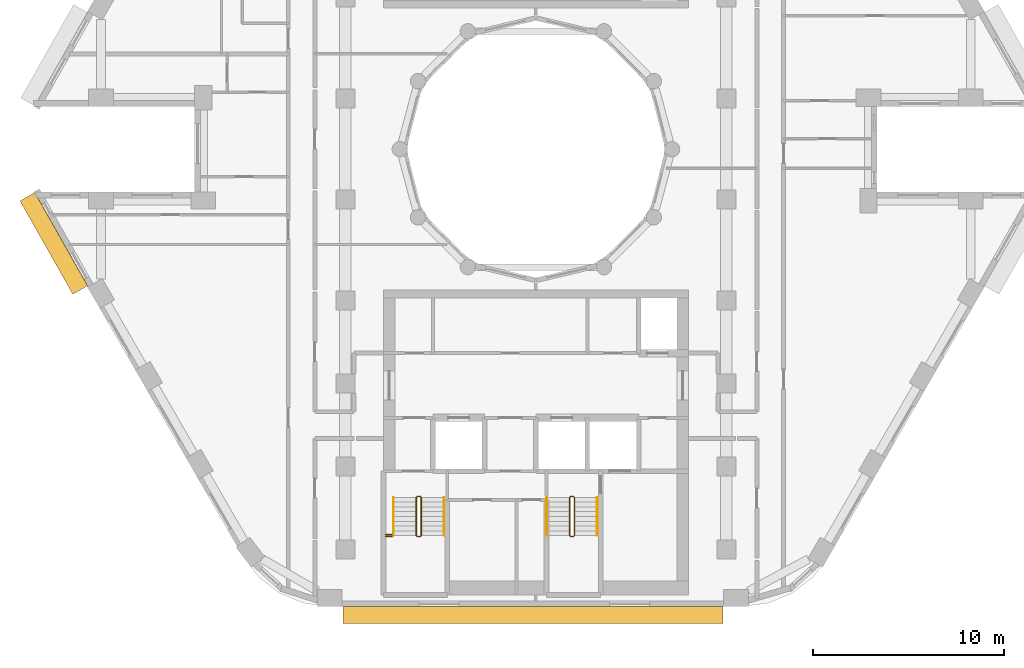
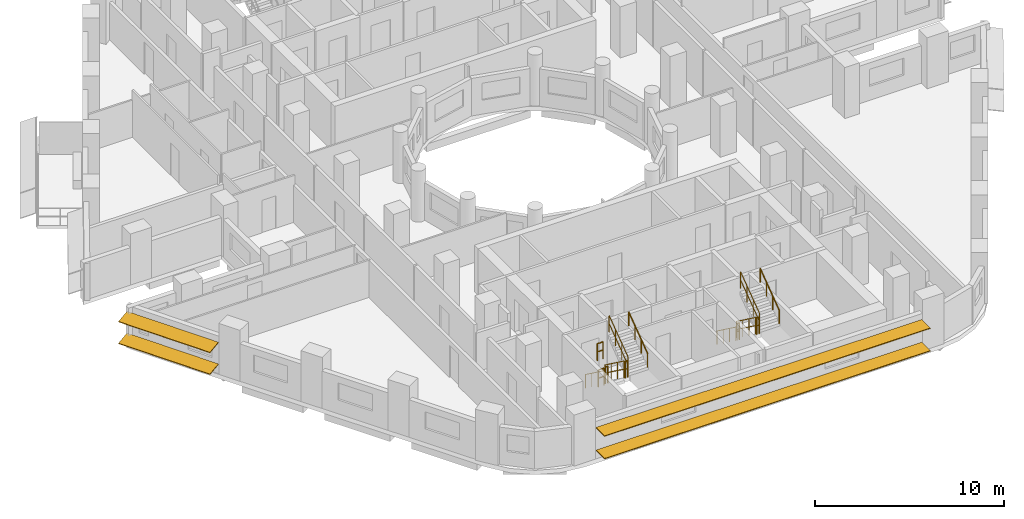
# One storey, part 11 of 13: 14 railings, 4 shading devices.
"""IFC4 building model written with IfcOpenShell, lengths in metres."""

from ifc_helpers import new_model, si_unit, direction, frame, origin, origin_2d, place, context, subcontext, project, spatial, rectangle, circle, extrude, material, material_profile, profile_set, type_object, element, save


model = new_model("IFC4")

# Units and contexts
model_context = context("Model", 3, precision=1e-05, world=origin(), true_north=direction((0.0, 1.0)))
body_context = subcontext(model_context, "Body", "Model", "MODEL_VIEW")
ifc_project = project(units=[si_unit("LENGTHUNIT", "METRE"), si_unit("AREAUNIT", "SQUARE_METRE"), si_unit("VOLUMEUNIT", "CUBIC_METRE"), si_unit("PLANEANGLEUNIT", "RADIAN"), si_unit("MASSUNIT", "GRAM", prefix="KILO")], contexts=[model_context])

# Site, building, storey
site_placement = place(None, origin())
site = spatial("IfcSite", under=ifc_project, at=site_placement, CompositionType="ELEMENT")
building_placement = place(site_placement, origin())
building = spatial("IfcBuilding", under=site, at=building_placement, Name="Nakaniwa Court", CompositionType="ELEMENT")
storey_placement = place(building_placement, frame((0.0, 0.0, 156.89990234375)))
storey = spatial("IfcBuildingStorey", under=building, at=storey_placement, Name="L41", CompositionType="ELEMENT", Elevation=156.89990234375)

# Shading devices
ifc_material_1 = material(Name="Perforated charcoal ceramic louvre blade")
ifc_material_profile = material_profile(ifc_material_1, rectangle(XDim=0.89990234375, YDim=0.050048828125, at=origin_2d()), Name="Perforated ceramic louvre blade")
ifc_profile_set = profile_set([ifc_material_profile], Name="Perforated charcoal ceramic louvre blade")
shading_device_type = type_object("IfcShadingDeviceType", Name="Perforated ceramic louvre blade", PredefinedType="JALOUSIE", material=ifc_profile_set)
for number, where, z_axis, x_axis, name in (
    (1, (53.31689453125, 77.5078125, 0.550048828125), (0.49253187421, -0.870294405869, 0.0), (0.862649339692, 0.488205247786, 0.132256390257), "L41 perforated ceramic louvre blade w20 1"),
    (2, (53.31689453125, 77.5078125, 1.955810546875), (0.49253187421, -0.870294405869, 0.0), (0.862649339692, 0.488205247786, 0.132256390257), "L41 perforated ceramic louvre blade w20 2"),
):
    element("IfcShadingDevice", number, at=place(storey_placement, frame(where, z_axis=z_axis, x_axis=x_axis)), inside=storey, type_object=shading_device_type, Name=name, PredefinedType="JALOUSIE", context=body_context, shape_type="SweptSolid", body=[
        extrude(rectangle(XDim=0.89990234375, YDim=0.050048828125, at=origin_2d()), origin(), (0.0, 0.0, 1.0), 5.62646484375),
    ])
for number, where, z_axis, x_axis, name in (
    (3, (69.871337890625, 55.550048828125, 0.550048828125), (1.0, 0.0, 0.0), (0.0, 1.0, 0.0), "L41 perforated ceramic louvre blade w26 1"),
    (4, (69.871337890625, 55.550048828125, 2.01513671875), (1.0, 0.0, 0.0), (0.0, 1.0, 0.0), "L41 perforated ceramic louvre blade w26 2"),
):
    element("IfcShadingDevice", number, at=place(storey_placement, frame(where, z_axis=z_axis, x_axis=x_axis)), inside=storey, type_object=shading_device_type, Name=name, PredefinedType="JALOUSIE", context=body_context, shape_type="SweptSolid", body=[
        extrude(rectangle(XDim=0.89990234375, YDim=0.050048828125, at=origin_2d()), origin(), (0.0, 0.0, 1.0), 19.939697265625),
    ])

# Railings
ifc_material_2 = material(Name="Black powder coated steel guard", Category="steel")
railing_type_1 = type_object("IfcRailingType", Name="Stair guard 1100", PredefinedType="GUARDRAIL", material=ifc_material_2)
railing_1_placement = place(storey_placement, frame((73.72509765625, 61.72509765625, 0.183349609375)))
element("IfcRailing", 5, at=railing_1_placement, inside=storey, type_object=railing_type_1, Name="L41 ST3 stair guard 1", PredefinedType="GUARDRAIL", context=body_context, shape_type="SweptSolid", body=[
    extrude(circle(Radius=0.02392578125, at=origin_2d()), frame((0.0, 0.0, 1.076171875), z_axis=(0.0, -0.806379959628, 0.591397802423), x_axis=(1.0, 0.0, 0.0)), (0.0, 0.0, 1.0), 2.480224609375),
    extrude(circle(Radius=0.02392578125, at=origin_2d()), frame((0.0, 0.0, 0.550048828125), z_axis=(0.0, -0.806379959628, 0.591397802423), x_axis=(1.0, 0.0, 0.0)), (0.0, 0.0, 1.0), 2.480224609375),
    extrude(circle(Radius=0.02099609375, at=origin_2d()), origin(), (0.0, 0.0, 1.0), 1.052001953125),
    extrude(circle(Radius=0.02099609375, at=origin_2d()), frame((0.0, -0.666748046875, 0.489013671875)), (0.0, 0.0, 1.0), 1.052001953125),
    extrude(circle(Radius=0.02099609375, at=origin_2d()), frame((0.0, -1.333251953125, 0.977783203125)), (0.0, 0.0, 1.0), 1.052001953125),
    extrude(circle(Radius=0.02099609375, at=origin_2d()), frame((0.0, -2.0, 1.466796875)), (0.0, 0.0, 1.0), 1.052001953125),
])
railing_2_placement = place(storey_placement, frame((73.77490234375, 59.675048828125, 1.650146484375)))
element("IfcRailing", 6, at=railing_2_placement, inside=storey, type_object=railing_type_1, Name="L41 ST3 stair guard 2", PredefinedType="GUARDRAIL", context=body_context, shape_type="SweptSolid", body=[
    extrude(circle(Radius=0.02392578125, at=origin_2d()), frame((0.0, 0.0, 1.076171875), z_axis=(1.0, 0.0, 0.0), x_axis=(0.0, 1.0, 0.0)), (0.0, 0.0, 1.0), 0.150146484375),
    extrude(circle(Radius=0.02392578125, at=origin_2d()), frame((0.0, 0.0, 0.550048828125), z_axis=(1.0, 0.0, 0.0), x_axis=(0.0, 1.0, 0.0)), (0.0, 0.0, 1.0), 0.150146484375),
    extrude(circle(Radius=0.02099609375, at=origin_2d()), origin(), (0.0, 0.0, 1.0), 1.052001953125),
    extrude(circle(Radius=0.02099609375, at=origin_2d()), frame((0.150146484375, 0.0, 0.0)), (0.0, 0.0, 1.0), 1.052001953125),
])
railing_3_placement = place(storey_placement, frame((73.97509765625, 59.72509765625, 1.83349609375)))
element("IfcRailing", 7, at=railing_3_placement, inside=storey, type_object=railing_type_1, Name="L41 ST3 stair guard 3", PredefinedType="GUARDRAIL", context=body_context, shape_type="SweptSolid", body=[
    extrude(circle(Radius=0.02392578125, at=origin_2d()), frame((0.0, 0.0, 1.076171875), z_axis=(0.0, 0.806426902644, 0.591333789573), x_axis=(-1.0, 0.0, 0.0)), (0.0, 0.0, 1.0), 2.47998046875),
    extrude(circle(Radius=0.02392578125, at=origin_2d()), frame((0.0, 0.0, 0.550048828125), z_axis=(0.0, 0.806426902644, 0.591333789573), x_axis=(-1.0, 0.0, 0.0)), (0.0, 0.0, 1.0), 2.47998046875),
    extrude(circle(Radius=0.02099609375, at=origin_2d()), origin(), (0.0, 0.0, 1.0), 1.052001953125),
    extrude(circle(Radius=0.02099609375, at=origin_2d()), frame((0.0, 0.666748046875, 0.48876953125)), (0.0, 0.0, 1.0), 1.052001953125),
    extrude(circle(Radius=0.02099609375, at=origin_2d()), frame((0.0, 1.333251953125, 0.977783203125)), (0.0, 0.0, 1.0), 1.052001953125),
    extrude(circle(Radius=0.02099609375, at=origin_2d()), frame((0.0, 2.0, 1.466552734375)), (0.0, 0.0, 1.0), 1.052001953125),
])
railing_4_placement = place(storey_placement, frame((73.77490234375, 61.77490234375, 0.0)))
element("IfcRailing", 8, at=railing_4_placement, inside=storey, type_object=railing_type_1, Name="L41 ST3 stair guard 4", PredefinedType="GUARDRAIL", context=body_context, shape_type="SweptSolid", body=[
    extrude(circle(Radius=0.02392578125, at=origin_2d()), frame((0.0, 0.0, 1.076171875), z_axis=(1.0, 0.0, 0.0), x_axis=(0.0, 1.0, 0.0)), (0.0, 0.0, 1.0), 0.150146484375),
    extrude(circle(Radius=0.02392578125, at=origin_2d()), frame((0.0, 0.0, 0.550048828125), z_axis=(1.0, 0.0, 0.0), x_axis=(0.0, 1.0, 0.0)), (0.0, 0.0, 1.0), 0.150146484375),
    extrude(circle(Radius=0.02099609375, at=origin_2d()), origin(), (0.0, 0.0, 1.0), 1.052001953125),
    extrude(circle(Radius=0.02099609375, at=origin_2d()), frame((0.150146484375, 0.0, 0.0)), (0.0, 0.0, 1.0), 1.052001953125),
])
for number, where, name in (
    (9, (72.125, 59.675048828125, 1.650146484375), "L41 ST3 landing side guard 1W"),
    (10, (72.125, 59.77490234375, 3.300048828125), "L41 ST3 floor edge guard 1W"),
):
    element("IfcRailing", number, at=place(storey_placement, frame(where)), inside=storey, type_object=railing_type_1, Name=name, PredefinedType="GUARDRAIL", context=body_context, shape_type="SweptSolid", body=[
        extrude(circle(Radius=0.02392578125, at=origin_2d()), frame((0.0, 0.0, 1.076171875), z_axis=(1.0, 0.0, 0.0), x_axis=(0.0, 1.0, 0.0)), (0.0, 0.0, 1.0), 0.35009765625),
        extrude(circle(Radius=0.02392578125, at=origin_2d()), frame((0.0, 0.0, 0.550048828125), z_axis=(1.0, 0.0, 0.0), x_axis=(0.0, 1.0, 0.0)), (0.0, 0.0, 1.0), 0.35009765625),
        extrude(circle(Radius=0.02099609375, at=origin_2d()), origin(), (0.0, 0.0, 1.0), 1.052001953125),
        extrude(circle(Radius=0.02099609375, at=origin_2d()), frame((0.35009765625, 0.0, 0.0)), (0.0, 0.0, 1.0), 1.052001953125),
    ])
railing_5_placement = place(storey_placement, frame((81.77490234375, 61.72509765625, 0.183349609375)))
element("IfcRailing", 11, at=railing_5_placement, inside=storey, type_object=railing_type_1, Name="L41 ST4 stair guard 1", PredefinedType="GUARDRAIL", context=body_context, shape_type="SweptSolid", body=[
    extrude(circle(Radius=0.02392578125, at=origin_2d()), frame((0.0, 0.0, 1.076171875), z_axis=(0.0, -0.806379959628, 0.591397802423), x_axis=(1.0, 0.0, 0.0)), (0.0, 0.0, 1.0), 2.480224609375),
    extrude(circle(Radius=0.02392578125, at=origin_2d()), frame((0.0, 0.0, 0.550048828125), z_axis=(0.0, -0.806379959628, 0.591397802423), x_axis=(1.0, 0.0, 0.0)), (0.0, 0.0, 1.0), 2.480224609375),
    extrude(circle(Radius=0.02099609375, at=origin_2d()), origin(), (0.0, 0.0, 1.0), 1.052001953125),
    extrude(circle(Radius=0.02099609375, at=origin_2d()), frame((0.0, -0.666748046875, 0.489013671875)), (0.0, 0.0, 1.0), 1.052001953125),
    extrude(circle(Radius=0.02099609375, at=origin_2d()), frame((0.0, -1.333251953125, 0.977783203125)), (0.0, 0.0, 1.0), 1.052001953125),
    extrude(circle(Radius=0.02099609375, at=origin_2d()), frame((0.0, -2.0, 1.466796875)), (0.0, 0.0, 1.0), 1.052001953125),
])
railing_6_placement = place(storey_placement, frame((81.824951171875, 59.675048828125, 1.650146484375)))
element("IfcRailing", 12, at=railing_6_placement, inside=storey, type_object=railing_type_1, Name="L41 ST4 stair guard 2", PredefinedType="GUARDRAIL", context=body_context, shape_type="SweptSolid", body=[
    extrude(circle(Radius=0.02392578125, at=origin_2d()), frame((0.0, 0.0, 1.076171875), z_axis=(1.0, 0.0, 0.0), x_axis=(0.0, 1.0, 0.0)), (0.0, 0.0, 1.0), 0.150146484375),
    extrude(circle(Radius=0.02392578125, at=origin_2d()), frame((0.0, 0.0, 0.550048828125), z_axis=(1.0, 0.0, 0.0), x_axis=(0.0, 1.0, 0.0)), (0.0, 0.0, 1.0), 0.150146484375),
    extrude(circle(Radius=0.02099609375, at=origin_2d()), origin(), (0.0, 0.0, 1.0), 1.052001953125),
    extrude(circle(Radius=0.02099609375, at=origin_2d()), frame((0.150146484375, 0.0, 0.0)), (0.0, 0.0, 1.0), 1.052001953125),
])
railing_7_placement = place(storey_placement, frame((82.02490234375, 59.72509765625, 1.83349609375)))
element("IfcRailing", 13, at=railing_7_placement, inside=storey, type_object=railing_type_1, Name="L41 ST4 stair guard 3", PredefinedType="GUARDRAIL", context=body_context, shape_type="SweptSolid", body=[
    extrude(circle(Radius=0.02392578125, at=origin_2d()), frame((0.0, 0.0, 1.076171875), z_axis=(0.0, 0.806426902644, 0.591333789573), x_axis=(-1.0, 0.0, 0.0)), (0.0, 0.0, 1.0), 2.47998046875),
    extrude(circle(Radius=0.02392578125, at=origin_2d()), frame((0.0, 0.0, 0.550048828125), z_axis=(0.0, 0.806426902644, 0.591333789573), x_axis=(-1.0, 0.0, 0.0)), (0.0, 0.0, 1.0), 2.47998046875),
    extrude(circle(Radius=0.02099609375, at=origin_2d()), origin(), (0.0, 0.0, 1.0), 1.052001953125),
    extrude(circle(Radius=0.02099609375, at=origin_2d()), frame((0.0, 0.666748046875, 0.48876953125)), (0.0, 0.0, 1.0), 1.052001953125),
    extrude(circle(Radius=0.02099609375, at=origin_2d()), frame((0.0, 1.333251953125, 0.977783203125)), (0.0, 0.0, 1.0), 1.052001953125),
    extrude(circle(Radius=0.02099609375, at=origin_2d()), frame((0.0, 2.0, 1.466552734375)), (0.0, 0.0, 1.0), 1.052001953125),
])
railing_8_placement = place(storey_placement, frame((81.824951171875, 61.77490234375, 0.0)))
element("IfcRailing", 14, at=railing_8_placement, inside=storey, type_object=railing_type_1, Name="L41 ST4 stair guard 4", PredefinedType="GUARDRAIL", context=body_context, shape_type="SweptSolid", body=[
    extrude(circle(Radius=0.02392578125, at=origin_2d()), frame((0.0, 0.0, 1.076171875), z_axis=(1.0, 0.0, 0.0), x_axis=(0.0, 1.0, 0.0)), (0.0, 0.0, 1.0), 0.150146484375),
    extrude(circle(Radius=0.02392578125, at=origin_2d()), frame((0.0, 0.0, 0.550048828125), z_axis=(1.0, 0.0, 0.0), x_axis=(0.0, 1.0, 0.0)), (0.0, 0.0, 1.0), 0.150146484375),
    extrude(circle(Radius=0.02099609375, at=origin_2d()), origin(), (0.0, 0.0, 1.0), 1.052001953125),
    extrude(circle(Radius=0.02099609375, at=origin_2d()), frame((0.150146484375, 0.0, 0.0)), (0.0, 0.0, 1.0), 1.052001953125),
])
ifc_material_3 = material(Name="Black powder coated steel handrail", Category="steel")
railing_type_2 = type_object("IfcRailingType", Name="Stair handrail 900", PredefinedType="HANDRAIL", material=ifc_material_3)
railing_9_placement = place(storey_placement, frame((72.52490234375, 61.72509765625, 0.183349609375)))
element("IfcRailing", 15, at=railing_9_placement, inside=storey, type_object=railing_type_2, Name="L41 ST3 stair handrail 1", PredefinedType="HANDRAIL", context=body_context, shape_type="SweptSolid", body=[
    extrude(circle(Radius=0.02392578125, at=origin_2d()), frame((0.0, 0.0, 0.8759765625), z_axis=(0.0, -0.806379959628, 0.591397802423), x_axis=(1.0, 0.0, 0.0)), (0.0, 0.0, 1.0), 2.480224609375),
    extrude(circle(Radius=0.02099609375, at=origin_2d()), origin(), (0.0, 0.0, 1.0), 0.851806640625),
    extrude(circle(Radius=0.02099609375, at=origin_2d()), frame((0.0, -0.666748046875, 0.489013671875)), (0.0, 0.0, 1.0), 0.851806640625),
    extrude(circle(Radius=0.02099609375, at=origin_2d()), frame((0.0, -1.333251953125, 0.977783203125)), (0.0, 0.0, 1.0), 0.851806640625),
    extrude(circle(Radius=0.02099609375, at=origin_2d()), frame((0.0, -2.0, 1.466796875)), (0.0, 0.0, 1.0), 0.851806640625),
])
railing_10_placement = place(storey_placement, frame((75.175048828125, 59.72509765625, 1.83349609375)))
element("IfcRailing", 16, at=railing_10_placement, inside=storey, type_object=railing_type_2, Name="L41 ST3 stair handrail 2", PredefinedType="HANDRAIL", context=body_context, shape_type="SweptSolid", body=[
    extrude(circle(Radius=0.02392578125, at=origin_2d()), frame((0.0, 0.0, 0.8759765625), z_axis=(0.0, 0.806426902644, 0.591333789573), x_axis=(-1.0, 0.0, 0.0)), (0.0, 0.0, 1.0), 2.47998046875),
    extrude(circle(Radius=0.02099609375, at=origin_2d()), origin(), (0.0, 0.0, 1.0), 0.851806640625),
    extrude(circle(Radius=0.02099609375, at=origin_2d()), frame((0.0, 0.666748046875, 0.48876953125)), (0.0, 0.0, 1.0), 0.851806640625),
    extrude(circle(Radius=0.02099609375, at=origin_2d()), frame((0.0, 1.333251953125, 0.977783203125)), (0.0, 0.0, 1.0), 0.851806640625),
    extrude(circle(Radius=0.02099609375, at=origin_2d()), frame((0.0, 2.0, 1.466552734375)), (0.0, 0.0, 1.0), 0.851806640625),
])
railing_11_placement = place(storey_placement, frame((80.574951171875, 61.72509765625, 0.183349609375)))
element("IfcRailing", 17, at=railing_11_placement, inside=storey, type_object=railing_type_2, Name="L41 ST4 stair handrail 1", PredefinedType="HANDRAIL", context=body_context, shape_type="SweptSolid", body=[
    extrude(circle(Radius=0.02392578125, at=origin_2d()), frame((0.0, 0.0, 0.8759765625), z_axis=(0.0, -0.806379959628, 0.591397802423), x_axis=(1.0, 0.0, 0.0)), (0.0, 0.0, 1.0), 2.480224609375),
    extrude(circle(Radius=0.02099609375, at=origin_2d()), origin(), (0.0, 0.0, 1.0), 0.851806640625),
    extrude(circle(Radius=0.02099609375, at=origin_2d()), frame((0.0, -0.666748046875, 0.489013671875)), (0.0, 0.0, 1.0), 0.851806640625),
    extrude(circle(Radius=0.02099609375, at=origin_2d()), frame((0.0, -1.333251953125, 0.977783203125)), (0.0, 0.0, 1.0), 0.851806640625),
    extrude(circle(Radius=0.02099609375, at=origin_2d()), frame((0.0, -2.0, 1.466796875)), (0.0, 0.0, 1.0), 0.851806640625),
])
railing_12_placement = place(storey_placement, frame((83.22509765625, 59.72509765625, 1.83349609375)))
element("IfcRailing", 18, at=railing_12_placement, inside=storey, type_object=railing_type_2, Name="L41 ST4 stair handrail 2", PredefinedType="HANDRAIL", context=body_context, shape_type="SweptSolid", body=[
    extrude(circle(Radius=0.02392578125, at=origin_2d()), frame((0.0, 0.0, 0.8759765625), z_axis=(0.0, 0.806426902644, 0.591333789573), x_axis=(-1.0, 0.0, 0.0)), (0.0, 0.0, 1.0), 2.47998046875),
    extrude(circle(Radius=0.02099609375, at=origin_2d()), origin(), (0.0, 0.0, 1.0), 0.851806640625),
    extrude(circle(Radius=0.02099609375, at=origin_2d()), frame((0.0, 0.666748046875, 0.48876953125)), (0.0, 0.0, 1.0), 0.851806640625),
    extrude(circle(Radius=0.02099609375, at=origin_2d()), frame((0.0, 1.333251953125, 0.977783203125)), (0.0, 0.0, 1.0), 0.851806640625),
    extrude(circle(Radius=0.02099609375, at=origin_2d()), frame((0.0, 2.0, 1.466552734375)), (0.0, 0.0, 1.0), 0.851806640625),
])

save(model, "model.ifc")
